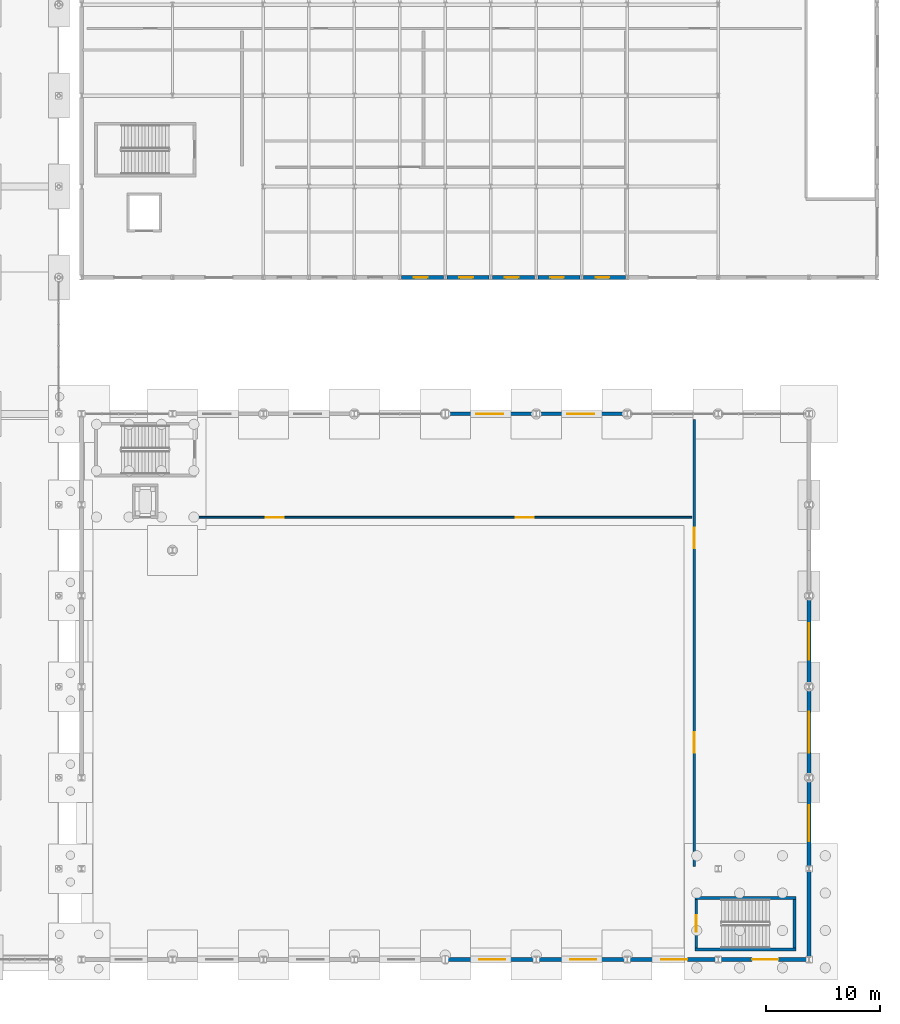
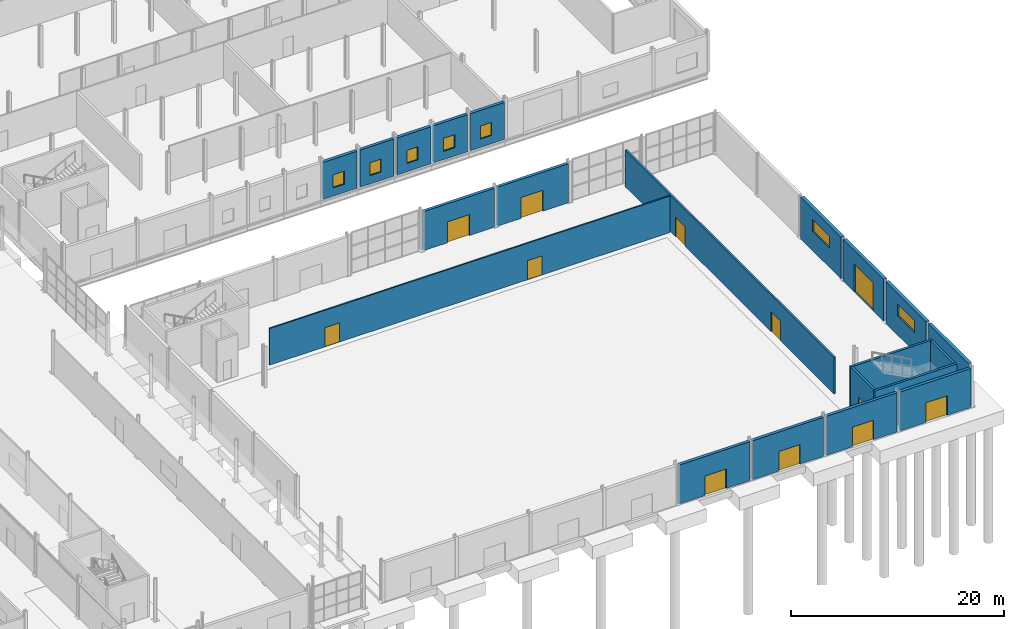
# One storey, part 81 of 101: 21 walls, 12 doors, 7 windows, 19 openings.
"""IFC4 building model written with IfcOpenShell, lengths in metres."""

from ifc_helpers import new_model, si_unit, derived_unit, direction, frame, frame_2d, origin, place, context, subcontext, project, spatial, rectangle, extrude, material, layer, layer_set, type_object, element, fill, save


model = new_model("IFC4")

# Units and contexts
model_context = context("Model", 3, precision=1e-05, world=origin(), true_north=direction((0.0, 1.0)))
body_context = subcontext(model_context, "Body", "Model", "MODEL_VIEW")
ifc_project = project(units=[si_unit("LENGTHUNIT", "METRE"), si_unit("AREAUNIT", "SQUARE_METRE"), si_unit("VOLUMEUNIT", "CUBIC_METRE"), si_unit("PLANEANGLEUNIT", "RADIAN"), si_unit("MASSUNIT", "GRAM", prefix="KILO"), derived_unit("THERMALTRANSMITTANCEUNIT", [(si_unit("POWERUNIT", "WATT"), 1), (si_unit("LENGTHUNIT", "METRE"), -2), (si_unit("THERMODYNAMICTEMPERATUREUNIT", "KELVIN"), -1)])], contexts=[model_context])

# Site, building, storey
site_placement = place(None, origin())
site = spatial("IfcSite", under=ifc_project, at=site_placement, CompositionType="ELEMENT")
building_placement = place(site_placement, origin())
building = spatial("IfcBuilding", under=site, at=building_placement, Name="Keldorne Ridge Multi-Sports Centre", CompositionType="ELEMENT")
storey_placement = place(building_placement, origin())
storey = spatial("IfcBuildingStorey", under=building, at=storey_placement, Name="L00", CompositionType="ELEMENT", Elevation=0.0)

# Wall, opening, door
ifc_material_1 = material(Name="Precast concrete C40/50", Category="concrete")
ifc_layer_1 = layer(ifc_material_1, 0.320068359375)
ifc_layer_set_1 = layer_set([ifc_layer_1], Name="Precast concrete C40/50")
wall_type_1 = type_object("IfcWallType", Name="WAL-PR-W1", PredefinedType="STANDARD", material=ifc_layer_set_1)
wall_1_placement = place(storey_placement, frame((136.152099609375, 6.0, 0.0), z_axis=(0.0, 0.0, 1.0), x_axis=(1.0, 0.0, 0.0)))
wall_1 = element("IfcWall", 1, at=wall_1_placement, inside=storey, type_object=wall_type_1, Name="Stacked Courts south ground wall 5", PredefinedType="STANDARD", context=body_context, shape_type="SweptSolid", body=[
    extrude(rectangle(XDim=7.69287109375, YDim=0.320068359375, at=frame_2d((3.846435546875, 0.0))), origin(), (0.0, 0.0, 1.0), 4.47998046875),
])
opening_1_placement = place(wall_1_placement, frame((2.837890625, 0.0, 0.0)))
opening_1 = element("IfcOpeningElement", 2, at=opening_1_placement, cuts=wall_1, Name="Opening ED-03", PredefinedType="OPENING", context=body_context, shape_type="SweptSolid", body=[
    extrude(rectangle(XDim=2.300048828125, YDim=2.25, at=frame_2d((1.14990234375, 1.125))), frame((0.0, 0.169921875, 0.0), z_axis=(0.0, -1.0, 0.0), x_axis=(1.0, 0.0, 0.0)), (0.0, 0.0, 1.0), 0.340087890625),
])
ifc_material_2 = material(Name="Galvanized steel", Category="steel")
door_type_1 = type_object("IfcDoorType", Name="DR-ED-03", OperationType="NOTDEFINED", PredefinedType="DOOR", material=ifc_material_2)
door_1_placement = place(opening_1_placement, origin())
door_1 = element("IfcDoor", 3, at=door_1_placement, inside=storey, type_object=door_type_1, Name="Lower Training Hall south double exit door 5", OperationType="DOUBLE_DOOR_SINGLE_SWING", OverallHeight=2.25, OverallWidth=2.300048828125, PredefinedType="DOOR", context=body_context, shape_type="SweptSolid", body=[
    extrude(rectangle(XDim=2.300048828125, YDim=2.25, at=frame_2d((1.14990234375, 1.125))), frame((0.0, 0.02490234375, 0.0), z_axis=(0.0, -1.0, 0.0), x_axis=(1.0, 0.0, 0.0)), (0.0, 0.0, 1.0), 0.050048828125),
])
fill(opening_1, door_1)

wall_2_placement = place(storey_placement, frame((143.844970703125, 54.0, 0.0), z_axis=(0.0, 0.0, 1.0), x_axis=(-1.0, 0.0, 0.0)))
wall_2 = element("IfcWall", 4, at=wall_2_placement, inside=storey, type_object=wall_type_1, Name="Stacked Courts north courtyard wall 5", PredefinedType="STANDARD", context=body_context, shape_type="SweptSolid", body=[
    extrude(rectangle(XDim=7.69287109375, YDim=0.320068359375, at=frame_2d((3.846435546875, 0.0))), origin(), (0.0, 0.0, 1.0), 4.47998046875),
])
opening_2_placement = place(wall_2_placement, frame((2.735107421875, 0.0, 0.0)))
opening_2 = element("IfcOpeningElement", 5, at=opening_2_placement, cuts=wall_2, Name="Opening ED-01", PredefinedType="OPENING", context=body_context, shape_type="SweptSolid", body=[
    extrude(rectangle(XDim=2.39990234375, YDim=2.39990234375, at=frame_2d((1.199951171875, 1.199951171875))), frame((0.0, 0.169921875, 0.0), z_axis=(0.0, -1.0, 0.0), x_axis=(1.0, 0.0, 0.0)), (0.0, 0.0, 1.0), 0.340087890625),
])
ifc_material_3 = material(Name="Anodized aluminium", Category="aluminium")
door_type_2 = type_object("IfcDoorType", Name="DR-ED-01", OperationType="NOTDEFINED", PredefinedType="DOOR", material=ifc_material_3)
door_2_placement = place(opening_2_placement, origin())
door_2 = element("IfcDoor", 6, at=door_2_placement, inside=storey, type_object=door_type_2, Name="Lower Courts courtyard double exit door 5", OperationType="DOUBLE_DOOR_SINGLE_SWING", OverallHeight=2.39990234375, OverallWidth=2.39990234375, PredefinedType="DOOR", context=body_context, shape_type="SweptSolid", body=[
    extrude(rectangle(XDim=2.39990234375, YDim=2.39990234375, at=frame_2d((1.199951171875, 1.199951171875))), frame((0.0, 0.02490234375, 0.0), z_axis=(0.0, -1.0, 0.0), x_axis=(1.0, 0.0, 0.0)), (0.0, 0.0, 1.0), 0.050048828125),
])
fill(opening_2, door_2)

wall_3_placement = place(storey_placement, frame((144.155029296875, 6.0, 0.0), z_axis=(0.0, 0.0, 1.0), x_axis=(1.0, 0.0, 0.0)))
wall_3 = element("IfcWall", 7, at=wall_3_placement, inside=storey, type_object=wall_type_1, Name="Stacked Courts south ground wall 6", PredefinedType="STANDARD", context=body_context, shape_type="SweptSolid", body=[
    extrude(rectangle(XDim=7.68994140625, YDim=0.320068359375, at=frame_2d((3.844970703125, 0.0))), origin(), (0.0, 0.0, 1.0), 4.47998046875),
])
opening_3_placement = place(wall_3_placement, frame((2.8349609375, 0.0, 0.0)))
opening_3 = element("IfcOpeningElement", 8, at=opening_3_placement, cuts=wall_3, Name="Opening ED-03", PredefinedType="OPENING", context=body_context, shape_type="SweptSolid", body=[
    extrude(rectangle(XDim=2.300048828125, YDim=2.25, at=frame_2d((1.14990234375, 1.125))), frame((0.0, 0.169921875, 0.0), z_axis=(0.0, -1.0, 0.0), x_axis=(1.0, 0.0, 0.0)), (0.0, 0.0, 1.0), 0.340087890625),
])
door_3_placement = place(opening_3_placement, origin())
door_3 = element("IfcDoor", 9, at=door_3_placement, inside=storey, type_object=door_type_1, Name="Lower Training Hall south double exit door 6", OperationType="DOUBLE_DOOR_SINGLE_SWING", OverallHeight=2.25, OverallWidth=2.300048828125, PredefinedType="DOOR", context=body_context, shape_type="SweptSolid", body=[
    extrude(rectangle(XDim=2.300048828125, YDim=2.25, at=frame_2d((1.14990234375, 1.125))), frame((0.0, 0.02490234375, 0.0), z_axis=(0.0, -1.0, 0.0), x_axis=(1.0, 0.0, 0.0)), (0.0, 0.0, 1.0), 0.050048828125),
])
fill(opening_3, door_3)

wall_4_placement = place(storey_placement, frame((151.844970703125, 54.0, 0.0), z_axis=(0.0, 0.0, 1.0), x_axis=(-1.0, 0.0, 0.0)))
wall_4 = element("IfcWall", 10, at=wall_4_placement, inside=storey, type_object=wall_type_1, Name="Stacked Courts north courtyard wall 6", PredefinedType="STANDARD", context=body_context, shape_type="SweptSolid", body=[
    extrude(rectangle(XDim=7.68994140625, YDim=0.320068359375, at=frame_2d((3.844970703125, 0.0))), origin(), (0.0, 0.0, 1.0), 4.47998046875),
])
opening_4_placement = place(wall_4_placement, frame((2.735107421875, 0.0, 0.0)))
opening_4 = element("IfcOpeningElement", 11, at=opening_4_placement, cuts=wall_4, Name="Opening ED-01", PredefinedType="OPENING", context=body_context, shape_type="SweptSolid", body=[
    extrude(rectangle(XDim=2.39990234375, YDim=2.39990234375, at=frame_2d((1.199951171875, 1.199951171875))), frame((0.0, 0.169921875, 0.0), z_axis=(0.0, -1.0, 0.0), x_axis=(1.0, 0.0, 0.0)), (0.0, 0.0, 1.0), 0.340087890625),
])
door_4_placement = place(opening_4_placement, origin())
door_4 = element("IfcDoor", 12, at=door_4_placement, inside=storey, type_object=door_type_2, Name="Lower Courts courtyard double exit door 6", OperationType="DOUBLE_DOOR_SINGLE_SWING", OverallHeight=2.39990234375, OverallWidth=2.39990234375, PredefinedType="DOOR", context=body_context, shape_type="SweptSolid", body=[
    extrude(rectangle(XDim=2.39990234375, YDim=2.39990234375, at=frame_2d((1.199951171875, 1.199951171875))), frame((0.0, 0.02490234375, 0.0), z_axis=(0.0, -1.0, 0.0), x_axis=(1.0, 0.0, 0.0)), (0.0, 0.0, 1.0), 0.050048828125),
])
fill(opening_4, door_4)

wall_5_placement = place(storey_placement, frame((152.155029296875, 6.0, 0.0), z_axis=(0.0, 0.0, 1.0), x_axis=(1.0, 0.0, 0.0)))
wall_5 = element("IfcWall", 13, at=wall_5_placement, inside=storey, type_object=wall_type_1, Name="Stacked Courts south ground wall 7", PredefinedType="STANDARD", context=body_context, shape_type="SweptSolid", body=[
    extrude(rectangle(XDim=7.68994140625, YDim=0.320068359375, at=frame_2d((3.844970703125, 0.0))), origin(), (0.0, 0.0, 1.0), 4.47998046875),
])
opening_5_placement = place(wall_5_placement, frame((2.8349609375, 0.0, 0.0)))
opening_5 = element("IfcOpeningElement", 14, at=opening_5_placement, cuts=wall_5, Name="Opening ED-03", PredefinedType="OPENING", context=body_context, shape_type="SweptSolid", body=[
    extrude(rectangle(XDim=2.300048828125, YDim=2.25, at=frame_2d((1.14990234375, 1.125))), frame((0.0, 0.169921875, 0.0), z_axis=(0.0, -1.0, 0.0), x_axis=(1.0, 0.0, 0.0)), (0.0, 0.0, 1.0), 0.340087890625),
])
door_5_placement = place(opening_5_placement, origin())
door_5 = element("IfcDoor", 15, at=door_5_placement, inside=storey, type_object=door_type_1, Name="Lower Training Hall south double exit door 7", OperationType="DOUBLE_DOOR_SINGLE_SWING", OverallHeight=2.25, OverallWidth=2.300048828125, PredefinedType="DOOR", context=body_context, shape_type="SweptSolid", body=[
    extrude(rectangle(XDim=2.300048828125, YDim=2.25, at=frame_2d((1.14990234375, 1.125))), frame((0.0, 0.02490234375, 0.0), z_axis=(0.0, -1.0, 0.0), x_axis=(1.0, 0.0, 0.0)), (0.0, 0.0, 1.0), 0.050048828125),
])
fill(opening_5, door_5)

wall_6_placement = place(storey_placement, frame((160.155029296875, 6.0, 0.0), z_axis=(0.0, 0.0, 1.0), x_axis=(1.0, 0.0, 0.0)))
wall_6 = element("IfcWall", 16, at=wall_6_placement, inside=storey, type_object=wall_type_1, Name="Stacked Courts south ground wall 8", PredefinedType="STANDARD", context=body_context, shape_type="SweptSolid", body=[
    extrude(rectangle(XDim=7.68994140625, YDim=0.320068359375, at=frame_2d((3.844970703125, 0.0))), origin(), (0.0, 0.0, 1.0), 4.47998046875),
])
opening_6_placement = place(wall_6_placement, frame((2.8349609375, 0.0, 0.0)))
opening_6 = element("IfcOpeningElement", 17, at=opening_6_placement, cuts=wall_6, Name="Opening ED-03", PredefinedType="OPENING", context=body_context, shape_type="SweptSolid", body=[
    extrude(rectangle(XDim=2.300048828125, YDim=2.25, at=frame_2d((1.14990234375, 1.125))), frame((0.0, 0.169921875, 0.0), z_axis=(0.0, -1.0, 0.0), x_axis=(1.0, 0.0, 0.0)), (0.0, 0.0, 1.0), 0.340087890625),
])
door_6_placement = place(opening_6_placement, origin())
door_6 = element("IfcDoor", 18, at=door_6_placement, inside=storey, type_object=door_type_1, Name="Lower Training Hall south double exit door 8", OperationType="DOUBLE_DOOR_SINGLE_SWING", OverallHeight=2.25, OverallWidth=2.300048828125, PredefinedType="DOOR", context=body_context, shape_type="SweptSolid", body=[
    extrude(rectangle(XDim=2.300048828125, YDim=2.25, at=frame_2d((1.14990234375, 1.125))), frame((0.0, 0.02490234375, 0.0), z_axis=(0.0, -1.0, 0.0), x_axis=(1.0, 0.0, 0.0)), (0.0, 0.0, 1.0), 0.050048828125),
])
fill(opening_6, door_6)

# Wall, opening, window
wall_7_placement = place(storey_placement, frame((132.152099609375, 66.0, 0.0), z_axis=(0.0, 0.0, 1.0), x_axis=(1.0, 0.0, 0.0)))
wall_7 = element("IfcWall", 19, at=wall_7_placement, inside=storey, type_object=wall_type_1, Name="East Wing L00 south facade 6", PredefinedType="STANDARD", context=body_context, shape_type="SweptSolid", body=[
    extrude(rectangle(XDim=3.69580078125, YDim=0.320068359375, at=frame_2d((1.847900390625, 0.0))), origin(), (0.0, 0.0, 1.0), 4.2548828125),
])
opening_7_placement = place(wall_7_placement, frame((1.087890625, 0.0, 0.949951171875)))
opening_7 = element("IfcOpeningElement", 20, at=opening_7_placement, cuts=wall_7, Name="Opening W-03", PredefinedType="OPENING", context=body_context, shape_type="SweptSolid", body=[
    extrude(rectangle(XDim=1.199951171875, YDim=1.5, at=frame_2d((0.60009765625, 0.75))), frame((0.0, 0.169921875, 0.0), z_axis=(0.0, -1.0, 0.0), x_axis=(1.0, 0.0, 0.0)), (0.0, 0.0, 1.0), 0.340087890625),
])
window_type_1 = type_object("IfcWindowType", Name="WIN-W-03", PartitioningType="SINGLE_PANEL", PredefinedType="WINDOW", material=ifc_material_3)
window_1_placement = place(opening_7_placement, origin())
window_1 = element("IfcWindow", 21, at=window_1_placement, inside=storey, type_object=window_type_1, Name="East Wing L00 south window W-034", OverallHeight=1.5, OverallWidth=1.199951171875, PartitioningType="SINGLE_PANEL", PredefinedType="WINDOW", context=body_context, shape_type="SweptSolid", body=[
    extrude(rectangle(XDim=1.199951171875, YDim=1.5, at=frame_2d((0.60009765625, 0.75))), frame((0.0, 0.030029296875, 0.0), z_axis=(0.0, -1.0, 0.0), x_axis=(1.0, 0.0, 0.0)), (0.0, 0.0, 1.0), 0.06005859375),
])
fill(opening_7, window_1)

wall_8_placement = place(storey_placement, frame((136.152099609375, 66.0, 0.0), z_axis=(0.0, 0.0, 1.0), x_axis=(1.0, 0.0, 0.0)))
wall_8 = element("IfcWall", 22, at=wall_8_placement, inside=storey, type_object=wall_type_1, Name="East Wing L00 south facade 7", PredefinedType="STANDARD", context=body_context, shape_type="SweptSolid", body=[
    extrude(rectangle(XDim=3.69580078125, YDim=0.320068359375, at=frame_2d((1.847900390625, 0.0))), origin(), (0.0, 0.0, 1.0), 4.2548828125),
])
opening_8_placement = place(wall_8_placement, frame((1.087890625, 0.0, 0.949951171875)))
opening_8 = element("IfcOpeningElement", 23, at=opening_8_placement, cuts=wall_8, Name="Opening W-03", PredefinedType="OPENING", context=body_context, shape_type="SweptSolid", body=[
    extrude(rectangle(XDim=1.199951171875, YDim=1.5, at=frame_2d((0.60009765625, 0.75))), frame((0.0, 0.169921875, 0.0), z_axis=(0.0, -1.0, 0.0), x_axis=(1.0, 0.0, 0.0)), (0.0, 0.0, 1.0), 0.340087890625),
])
window_2_placement = place(opening_8_placement, origin())
window_2 = element("IfcWindow", 24, at=window_2_placement, inside=storey, type_object=window_type_1, Name="East Wing L00 south window W-035", OverallHeight=1.5, OverallWidth=1.199951171875, PartitioningType="SINGLE_PANEL", PredefinedType="WINDOW", context=body_context, shape_type="SweptSolid", body=[
    extrude(rectangle(XDim=1.199951171875, YDim=1.5, at=frame_2d((0.60009765625, 0.75))), frame((0.0, 0.030029296875, 0.0), z_axis=(0.0, -1.0, 0.0), x_axis=(1.0, 0.0, 0.0)), (0.0, 0.0, 1.0), 0.06005859375),
])
fill(opening_8, window_2)

wall_9_placement = place(storey_placement, frame((140.152099609375, 66.0, 0.0), z_axis=(0.0, 0.0, 1.0), x_axis=(1.0, 0.0, 0.0)))
wall_9 = element("IfcWall", 25, at=wall_9_placement, inside=storey, type_object=wall_type_1, Name="East Wing L00 south facade 8", PredefinedType="STANDARD", context=body_context, shape_type="SweptSolid", body=[
    extrude(rectangle(XDim=3.69580078125, YDim=0.320068359375, at=frame_2d((1.847900390625, 0.0))), origin(), (0.0, 0.0, 1.0), 4.2548828125),
])
opening_9_placement = place(wall_9_placement, frame((1.087890625, 0.0, 0.949951171875)))
opening_9 = element("IfcOpeningElement", 26, at=opening_9_placement, cuts=wall_9, Name="Opening W-03", PredefinedType="OPENING", context=body_context, shape_type="SweptSolid", body=[
    extrude(rectangle(XDim=1.199951171875, YDim=1.5, at=frame_2d((0.60009765625, 0.75))), frame((0.0, 0.169921875, 0.0), z_axis=(0.0, -1.0, 0.0), x_axis=(1.0, 0.0, 0.0)), (0.0, 0.0, 1.0), 0.340087890625),
])
window_3_placement = place(opening_9_placement, origin())
window_3 = element("IfcWindow", 27, at=window_3_placement, inside=storey, type_object=window_type_1, Name="East Wing L00 south window W-036", OverallHeight=1.5, OverallWidth=1.199951171875, PartitioningType="SINGLE_PANEL", PredefinedType="WINDOW", context=body_context, shape_type="SweptSolid", body=[
    extrude(rectangle(XDim=1.199951171875, YDim=1.5, at=frame_2d((0.60009765625, 0.75))), frame((0.0, 0.030029296875, 0.0), z_axis=(0.0, -1.0, 0.0), x_axis=(1.0, 0.0, 0.0)), (0.0, 0.0, 1.0), 0.06005859375),
])
fill(opening_9, window_3)

wall_10_placement = place(storey_placement, frame((144.152099609375, 66.0, 0.0), z_axis=(0.0, 0.0, 1.0), x_axis=(1.0, 0.0, 0.0)))
wall_10 = element("IfcWall", 28, at=wall_10_placement, inside=storey, type_object=wall_type_1, Name="East Wing L00 south facade 9", PredefinedType="STANDARD", context=body_context, shape_type="SweptSolid", body=[
    extrude(rectangle(XDim=3.69580078125, YDim=0.320068359375, at=frame_2d((1.847900390625, 0.0))), origin(), (0.0, 0.0, 1.0), 4.2548828125),
])
opening_10_placement = place(wall_10_placement, frame((1.087890625, 0.0, 0.949951171875)))
opening_10 = element("IfcOpeningElement", 29, at=opening_10_placement, cuts=wall_10, Name="Opening W-03", PredefinedType="OPENING", context=body_context, shape_type="SweptSolid", body=[
    extrude(rectangle(XDim=1.199951171875, YDim=1.5, at=frame_2d((0.60009765625, 0.75))), frame((0.0, 0.169921875, 0.0), z_axis=(0.0, -1.0, 0.0), x_axis=(1.0, 0.0, 0.0)), (0.0, 0.0, 1.0), 0.340087890625),
])
window_4_placement = place(opening_10_placement, origin())
window_4 = element("IfcWindow", 30, at=window_4_placement, inside=storey, type_object=window_type_1, Name="East Wing L00 south window W-037", OverallHeight=1.5, OverallWidth=1.199951171875, PartitioningType="SINGLE_PANEL", PredefinedType="WINDOW", context=body_context, shape_type="SweptSolid", body=[
    extrude(rectangle(XDim=1.199951171875, YDim=1.5, at=frame_2d((0.60009765625, 0.75))), frame((0.0, 0.030029296875, 0.0), z_axis=(0.0, -1.0, 0.0), x_axis=(1.0, 0.0, 0.0)), (0.0, 0.0, 1.0), 0.06005859375),
])
fill(opening_10, window_4)

wall_11_placement = place(storey_placement, frame((148.152099609375, 66.0, 0.0), z_axis=(0.0, 0.0, 1.0), x_axis=(1.0, 0.0, 0.0)))
wall_11 = element("IfcWall", 31, at=wall_11_placement, inside=storey, type_object=wall_type_1, Name="East Wing L00 south facade 10", PredefinedType="STANDARD", context=body_context, shape_type="SweptSolid", body=[
    extrude(rectangle(XDim=3.69580078125, YDim=0.320068359375, at=frame_2d((1.847900390625, 0.0))), origin(), (0.0, 0.0, 1.0), 4.2548828125),
])
opening_11_placement = place(wall_11_placement, frame((1.087890625, 0.0, 0.949951171875)))
opening_11 = element("IfcOpeningElement", 32, at=opening_11_placement, cuts=wall_11, Name="Opening W-03", PredefinedType="OPENING", context=body_context, shape_type="SweptSolid", body=[
    extrude(rectangle(XDim=1.199951171875, YDim=1.5, at=frame_2d((0.60009765625, 0.75))), frame((0.0, 0.169921875, 0.0), z_axis=(0.0, -1.0, 0.0), x_axis=(1.0, 0.0, 0.0)), (0.0, 0.0, 1.0), 0.340087890625),
])
window_5_placement = place(opening_11_placement, origin())
window_5 = element("IfcWindow", 33, at=window_5_placement, inside=storey, type_object=window_type_1, Name="East Wing L00 south window W-038", OverallHeight=1.5, OverallWidth=1.199951171875, PartitioningType="SINGLE_PANEL", PredefinedType="WINDOW", context=body_context, shape_type="SweptSolid", body=[
    extrude(rectangle(XDim=1.199951171875, YDim=1.5, at=frame_2d((0.60009765625, 0.75))), frame((0.0, 0.030029296875, 0.0), z_axis=(0.0, -1.0, 0.0), x_axis=(1.0, 0.0, 0.0)), (0.0, 0.0, 1.0), 0.06005859375),
])
fill(opening_11, window_5)

# Wall
ifc_layer_2 = layer(ifc_material_1, 0.360107421875)
ifc_layer_set_2 = layer_set([ifc_layer_2], Name="Precast concrete C40/50")
wall_type_2 = type_object("IfcWallType", Name="WAL-PR-W2", PredefinedType="STANDARD", material=ifc_layer_set_2)
wall_12_placement = place(storey_placement, frame((168.0, 6.263916015625, 0.0), z_axis=(0.0, 0.0, 1.0), x_axis=(0.0, 1.0, 0.0)))
element("IfcWall", 34, at=wall_12_placement, inside=storey, type_object=wall_type_2, Name="Stacked Courts east acoustic wall L00.1", PredefinedType="STANDARD", context=body_context, shape_type="SweptSolid", body=[
    extrude(rectangle(XDim=7.5341796875, YDim=0.360107421875, at=frame_2d((3.76708984375, 0.0))), origin(), (0.0, 0.0, 1.0), 4.800048828125),
])

# Wall, opening, window
wall_13_placement = place(storey_placement, frame((168.0, 14.201904296875, 0.0), z_axis=(0.0, 0.0, 1.0), x_axis=(0.0, 1.0, 0.0)))
wall_13 = element("IfcWall", 35, at=wall_13_placement, inside=storey, type_object=wall_type_2, Name="Stacked Courts east acoustic wall L00.2", PredefinedType="STANDARD", context=body_context, shape_type="SweptSolid", body=[
    extrude(rectangle(XDim=7.59619140625, YDim=0.360107421875, at=frame_2d((3.798095703125, 0.0))), origin(), (0.0, 0.0, 1.0), 4.800048828125),
])
opening_12_placement = place(wall_13_placement, frame((2.18798828125, 0.0, 2.199951171875)))
opening_12 = element("IfcOpeningElement", 36, at=opening_12_placement, cuts=wall_13, Name="Opening W-13", PredefinedType="OPENING", context=body_context, shape_type="SweptSolid", body=[
    extrude(rectangle(XDim=3.199951171875, YDim=1.39990234375, at=frame_2d((1.60009765625, 0.699951171875))), frame((0.0, 0.18994140625, 0.0), z_axis=(0.0, -1.0, 0.0), x_axis=(1.0, 0.0, 0.0)), (0.0, 0.0, 1.0), 0.380126953125),
])
window_type_2 = type_object("IfcWindowType", Name="WIN-W-13", PartitioningType="DOUBLE_PANEL_VERTICAL", PredefinedType="WINDOW", material=ifc_material_3)
window_6_placement = place(opening_12_placement, origin())
window_6 = element("IfcWindow", 37, at=window_6_placement, inside=storey, type_object=window_type_2, Name="Stacked Courts east high window W-027", OverallHeight=1.39990234375, OverallWidth=3.199951171875, PartitioningType="SINGLE_PANEL", PredefinedType="WINDOW", context=body_context, shape_type="SweptSolid", body=[
    extrude(rectangle(XDim=3.199951171875, YDim=1.39990234375, at=frame_2d((1.60009765625, 0.699951171875))), frame((0.0, 0.030029296875, 0.0), z_axis=(0.0, -1.0, 0.0), x_axis=(1.0, 0.0, 0.0)), (0.0, 0.0, 1.0), 0.06005859375),
])
fill(opening_12, window_6)

# Wall, opening, door
wall_14_placement = place(storey_placement, frame((168.0, 22.201904296875, 0.0), z_axis=(0.0, 0.0, 1.0), x_axis=(0.0, 1.0, 0.0)))
wall_14 = element("IfcWall", 38, at=wall_14_placement, inside=storey, type_object=wall_type_2, Name="Stacked Courts east acoustic wall L00.3", PredefinedType="STANDARD", context=body_context, shape_type="SweptSolid", body=[
    extrude(rectangle(XDim=7.59619140625, YDim=0.360107421875, at=frame_2d((3.798095703125, 0.0))), origin(), (0.0, 0.0, 1.0), 4.800048828125),
])
opening_13_placement = place(wall_14_placement, frame((1.988037109375, 0.0, 0.0)))
opening_13 = element("IfcOpeningElement", 39, at=opening_13_placement, cuts=wall_14, Name="Opening VG-03", PredefinedType="OPENING", context=body_context, shape_type="SweptSolid", body=[
    extrude(rectangle(XDim=3.60009765625, YDim=3.199951171875, at=frame_2d((1.800048828125, 1.60009765625))), frame((0.0, 0.18994140625, 0.0), z_axis=(0.0, -1.0, 0.0), x_axis=(1.0, 0.0, 0.0)), (0.0, 0.0, 1.0), 0.380126953125),
])
door_type_3 = type_object("IfcDoorType", Name="DR-VG-03", OperationType="NOTDEFINED", PredefinedType="GATE", material=ifc_material_2)
door_7_placement = place(opening_13_placement, origin())
door_7 = element("IfcDoor", 40, at=door_7_placement, inside=storey, type_object=door_type_3, Name="Training Hall equipment roller gate VG-05", OperationType="ROLLINGUP", OverallHeight=3.199951171875, OverallWidth=3.60009765625, PredefinedType="GATE", context=body_context, shape_type="SweptSolid", body=[
    extrude(rectangle(XDim=3.60009765625, YDim=3.199951171875, at=frame_2d((1.800048828125, 1.60009765625))), frame((0.0, 0.02490234375, 0.0), z_axis=(0.0, -1.0, 0.0), x_axis=(1.0, 0.0, 0.0)), (0.0, 0.0, 1.0), 0.050048828125),
])
fill(opening_13, door_7)

# Wall, opening, window
wall_15_placement = place(storey_placement, frame((168.0, 30.201904296875, 0.0), z_axis=(0.0, 0.0, 1.0), x_axis=(0.0, 1.0, 0.0)))
wall_15 = element("IfcWall", 41, at=wall_15_placement, inside=storey, type_object=wall_type_2, Name="Stacked Courts east acoustic wall L00.4", PredefinedType="STANDARD", context=body_context, shape_type="SweptSolid", body=[
    extrude(rectangle(XDim=7.59619140625, YDim=0.360107421875, at=frame_2d((3.798095703125, 0.0))), origin(), (0.0, 0.0, 1.0), 4.800048828125),
])
opening_14_placement = place(wall_15_placement, frame((2.18798828125, 0.0, 2.199951171875)))
opening_14 = element("IfcOpeningElement", 42, at=opening_14_placement, cuts=wall_15, Name="Opening W-13", PredefinedType="OPENING", context=body_context, shape_type="SweptSolid", body=[
    extrude(rectangle(XDim=3.199951171875, YDim=1.39990234375, at=frame_2d((1.60009765625, 0.699951171875))), frame((0.0, 0.18994140625, 0.0), z_axis=(0.0, -1.0, 0.0), x_axis=(1.0, 0.0, 0.0)), (0.0, 0.0, 1.0), 0.380126953125),
])
window_7_placement = place(opening_14_placement, origin())
window_7 = element("IfcWindow", 43, at=window_7_placement, inside=storey, type_object=window_type_2, Name="Stacked Courts east high window W-029", OverallHeight=1.39990234375, OverallWidth=3.199951171875, PartitioningType="SINGLE_PANEL", PredefinedType="WINDOW", context=body_context, shape_type="SweptSolid", body=[
    extrude(rectangle(XDim=3.199951171875, YDim=1.39990234375, at=frame_2d((1.60009765625, 0.699951171875))), frame((0.0, 0.030029296875, 0.0), z_axis=(0.0, -1.0, 0.0), x_axis=(1.0, 0.0, 0.0)), (0.0, 0.0, 1.0), 0.06005859375),
])
fill(opening_14, window_7)

# Wall, openings, doors
ifc_material_4 = material(Name="Fire-rated twin stud plasterboard")
ifc_layer_3 = layer(ifc_material_4, 0.14990234375)
ifc_layer_set_3 = layer_set([ifc_layer_3])
wall_type_3 = type_object("IfcWallType", Name="WAL-PT-02", PredefinedType="PARTITIONING", material=ifc_layer_set_3)
wall_16_placement = place(storey_placement, frame((114.199951171875, 44.89990234375, 0.0), z_axis=(0.0, 0.0, 1.0), x_axis=(1.0, 0.0, 0.0)))
wall_16 = element("IfcWall", 44, at=wall_16_placement, inside=storey, type_object=wall_type_3, Name="Lower Training Hall north lobby wall IW-L00-022", PredefinedType="PARTITIONING", context=body_context, shape_type="SweptSolid", body=[
    extrude(rectangle(XDim=43.5, YDim=0.14990234375, at=frame_2d((21.75, 0.0))), origin(), (0.0, 0.0, 1.0), 4.199951171875),
])
opening_15_placement = place(wall_16_placement, frame((6.0, 0.0, 0.0)))
opening_15 = element("IfcOpeningElement", 45, at=opening_15_placement, cuts=wall_16, Name="Opening D-04", PredefinedType="OPENING", context=body_context, shape_type="SweptSolid", body=[
    extrude(rectangle(XDim=1.60009765625, YDim=2.199951171875, at=frame_2d((0.800048828125, 1.10009765625))), frame((0.0, 0.0849609375, 0.0), z_axis=(0.0, -1.0, 0.0), x_axis=(1.0, 0.0, 0.0)), (0.0, 0.0, 1.0), 0.169921875),
])
opening_16_placement = place(wall_16_placement, frame((28.0, 0.0, 0.0)))
opening_16 = element("IfcOpeningElement", 46, at=opening_16_placement, cuts=wall_16, Name="Opening D-04", PredefinedType="OPENING", context=body_context, shape_type="SweptSolid", body=[
    extrude(rectangle(XDim=1.60009765625, YDim=2.199951171875, at=frame_2d((0.800048828125, 1.10009765625))), frame((0.0, 0.0849609375, 0.0), z_axis=(0.0, -1.0, 0.0), x_axis=(1.0, 0.0, 0.0)), (0.0, 0.0, 1.0), 0.169921875),
])
ifc_material_5 = material(Name="Timber fire-resisting pair", Category="wood")
door_type_4 = type_object("IfcDoorType", Name="DR-D-04", OperationType="NOTDEFINED", PredefinedType="DOOR", material=ifc_material_5)
door_8_placement = place(opening_15_placement, origin())
door_8 = element("IfcDoor", 47, at=door_8_placement, inside=storey, type_object=door_type_4, Name="Lower Courts Core C4 lobby door D-081", OperationType="DOUBLE_DOOR_SINGLE_SWING", OverallHeight=2.199951171875, OverallWidth=1.60009765625, PredefinedType="DOOR", context=body_context, shape_type="SweptSolid", body=[
    extrude(rectangle(XDim=1.60009765625, YDim=2.199951171875, at=frame_2d((0.800048828125, 1.10009765625))), frame((0.0, 0.02490234375, 0.0), z_axis=(0.0, -1.0, 0.0), x_axis=(1.0, 0.0, 0.0)), (0.0, 0.0, 1.0), 0.050048828125),
])
fill(opening_15, door_8)
door_9_placement = place(opening_16_placement, origin())
door_9 = element("IfcDoor", 48, at=door_9_placement, inside=storey, type_object=door_type_4, Name="Lower Courts spectator lobby door D-082", OperationType="DOUBLE_DOOR_SINGLE_SWING", OverallHeight=2.199951171875, OverallWidth=1.60009765625, PredefinedType="DOOR", context=body_context, shape_type="SweptSolid", body=[
    extrude(rectangle(XDim=1.60009765625, YDim=2.199951171875, at=frame_2d((0.800048828125, 1.10009765625))), frame((0.0, 0.02490234375, 0.0), z_axis=(0.0, -1.0, 0.0), x_axis=(1.0, 0.0, 0.0)), (0.0, 0.0, 1.0), 0.050048828125),
])
fill(opening_16, door_9)

ifc_material_6 = material(Name="Concrete blockwork C25/30", Category="masonry")
ifc_layer_4 = layer(ifc_material_6, 0.199951171875)
ifc_layer_set_4 = layer_set([ifc_layer_4])
wall_type_4 = type_object("IfcWallType", Name="WAL-PT-03", PredefinedType="PARTITIONING", material=ifc_layer_set_4)
wall_17_placement = place(storey_placement, frame((157.89990234375, 14.199951171875, 0.0), z_axis=(0.0, 0.0, 1.0), x_axis=(0.0, 1.0, 0.0)))
wall_17 = element("IfcWall", 49, at=wall_17_placement, inside=storey, type_object=wall_type_4, Name="Lower Training Hall store wall IW-L00-021", PredefinedType="PARTITIONING", context=body_context, shape_type="SweptSolid", body=[
    extrude(rectangle(XDim=39.300048828125, YDim=0.199951171875, at=frame_2d((19.64990234375, 0.0))), origin(), (0.0, 0.0, 1.0), 4.199951171875),
])
opening_17_placement = place(wall_17_placement, frame((10.0, 0.0, 0.0)))
opening_17 = element("IfcOpeningElement", 50, at=opening_17_placement, cuts=wall_17, Name="Opening D-06", PredefinedType="OPENING", context=body_context, shape_type="SweptSolid", body=[
    extrude(rectangle(XDim=1.800048828125, YDim=2.25, at=frame_2d((0.89990234375, 1.125))), frame((0.0, 0.10986328125, 0.0), z_axis=(0.0, -1.0, 0.0), x_axis=(1.0, 0.0, 0.0)), (0.0, 0.0, 1.0), 0.219970703125),
])
opening_18_placement = place(wall_17_placement, frame((28.0, 0.0, 0.0)))
opening_18 = element("IfcOpeningElement", 51, at=opening_18_placement, cuts=wall_17, Name="Opening D-06", PredefinedType="OPENING", context=body_context, shape_type="SweptSolid", body=[
    extrude(rectangle(XDim=1.800048828125, YDim=2.25, at=frame_2d((0.89990234375, 1.125))), frame((0.0, 0.10986328125, 0.0), z_axis=(0.0, -1.0, 0.0), x_axis=(1.0, 0.0, 0.0)), (0.0, 0.0, 1.0), 0.219970703125),
])
ifc_material_7 = material(Name="Steel acoustic pair", Category="steel")
door_type_5 = type_object("IfcDoorType", Name="DR-D-06", OperationType="NOTDEFINED", PredefinedType="DOOR", material=ifc_material_7)
door_10_placement = place(opening_17_placement, origin())
door_10 = element("IfcDoor", 52, at=door_10_placement, inside=storey, type_object=door_type_5, Name="Lower Training store south door D-079", OperationType="DOUBLE_DOOR_SINGLE_SWING", OverallHeight=2.25, OverallWidth=1.800048828125, PredefinedType="DOOR", context=body_context, shape_type="SweptSolid", body=[
    extrude(rectangle(XDim=1.800048828125, YDim=2.25, at=frame_2d((0.89990234375, 1.125))), frame((0.0, 0.02490234375, 0.0), z_axis=(0.0, -1.0, 0.0), x_axis=(1.0, 0.0, 0.0)), (0.0, 0.0, 1.0), 0.050048828125),
])
fill(opening_17, door_10)
door_11_placement = place(opening_18_placement, origin())
door_11 = element("IfcDoor", 53, at=door_11_placement, inside=storey, type_object=door_type_5, Name="Lower Training store north door D-080", OperationType="DOUBLE_DOOR_SINGLE_SWING", OverallHeight=2.25, OverallWidth=1.800048828125, PredefinedType="DOOR", context=body_context, shape_type="SweptSolid", body=[
    extrude(rectangle(XDim=1.800048828125, YDim=2.25, at=frame_2d((0.89990234375, 1.125))), frame((0.0, 0.02490234375, 0.0), z_axis=(0.0, -1.0, 0.0), x_axis=(1.0, 0.0, 0.0)), (0.0, 0.0, 1.0), 0.050048828125),
])
fill(opening_18, door_11)

# Wall, opening, door
ifc_material_8 = material(Name="Concrete C40/50", Category="concrete")
ifc_layer_5 = layer(ifc_material_8, 0.25)
ifc_layer_set_5 = layer_set([ifc_layer_5], Name="Concrete C40/50")
wall_type_5 = type_object("IfcWallType", Name="WAL-SW01", PredefinedType="SHEAR", material=ifc_layer_set_5)
wall_18_placement = place(storey_placement, frame((158.074951171875, 7.0, 0.0), z_axis=(0.0, 0.0, 1.0), x_axis=(0.0, 1.0, 0.0)))
wall_18 = element("IfcWall", 54, at=wall_18_placement, inside=storey, type_object=wall_type_5, Name="Stair ST-05 shaft wall L00 NEAR", PredefinedType="SHEAR", context=body_context, shape_type="SweptSolid", body=[
    extrude(rectangle(XDim=4.300048828125, YDim=0.25, at=frame_2d((2.14990234375, 0.0))), origin(), (0.0, 0.0, 1.0), 4.800048828125),
])
opening_19_placement = place(wall_18_placement, frame((1.425048828125, 0.0, 0.0)))
opening_19 = element("IfcOpeningElement", 55, at=opening_19_placement, cuts=wall_18, Name="Opening D-05", PredefinedType="OPENING", context=body_context, shape_type="SweptSolid", body=[
    extrude(rectangle(XDim=1.449951171875, YDim=2.199951171875, at=frame_2d((0.72509765625, 1.10009765625))), frame((0.0, 0.135009765625, 0.0), z_axis=(0.0, -1.0, 0.0), x_axis=(1.0, 0.0, 0.0)), (0.0, 0.0, 1.0), 0.27001953125),
])
ifc_material_9 = material(Name="Steel fire-resisting pair", Category="steel")
door_type_6 = type_object("IfcDoorType", Name="DR-D-05", OperationType="NOTDEFINED", PredefinedType="DOOR", material=ifc_material_9)
door_12_placement = place(opening_19_placement, origin())
door_12 = element("IfcDoor", 56, at=door_12_placement, inside=storey, type_object=door_type_6, Name="Stair ST-05 L00 fire door D-024", OperationType="DOUBLE_DOOR_SINGLE_SWING", OverallHeight=2.199951171875, OverallWidth=1.449951171875, PredefinedType="DOOR", context=body_context, shape_type="SweptSolid", body=[
    extrude(rectangle(XDim=1.449951171875, YDim=2.199951171875, at=frame_2d((0.72509765625, 1.10009765625))), frame((0.0, 0.02490234375, 0.0), z_axis=(0.0, -1.0, 0.0), x_axis=(1.0, 0.0, 0.0)), (0.0, 0.0, 1.0), 0.050048828125),
])
fill(opening_19, door_12)

# Walls
wall_19_placement = place(storey_placement, frame((166.72509765625, 11.300048828125, 0.0), z_axis=(0.0, 0.0, 1.0), x_axis=(0.0, -1.0, 0.0)))
element("IfcWall", 57, at=wall_19_placement, inside=storey, type_object=wall_type_5, Name="Stair ST-05 shaft wall L00 FAR", PredefinedType="SHEAR", context=body_context, shape_type="SweptSolid", body=[
    extrude(rectangle(XDim=4.300048828125, YDim=0.25, at=frame_2d((2.14990234375, 0.0))), origin(), (0.0, 0.0, 1.0), 4.800048828125),
])
for number, where, z_axis, x_axis, name in (
    (58, (157.949951171875, 6.875, 0.0), (0.0, 0.0, 1.0), (1.0, 0.0, 0.0), "Stair ST-05 shaft wall L00 SOUTH"),
    (59, (166.85009765625, 11.425048828125, 0.0), (0.0, 0.0, 1.0), (-1.0, 0.0, 0.0), "Stair ST-05 shaft wall L00 NORTH"),
):
    element("IfcWall", number, at=place(storey_placement, frame(where, z_axis=z_axis, x_axis=x_axis)), inside=storey, type_object=wall_type_5, Name=name, PredefinedType="SHEAR", context=body_context, shape_type="SweptSolid", body=[
        extrude(rectangle(XDim=8.900146484375, YDim=0.25, at=frame_2d((4.4501953125, 0.0))), origin(), (0.0, 0.0, 1.0), 4.800048828125),
    ])

save(model, "model.ifc")
